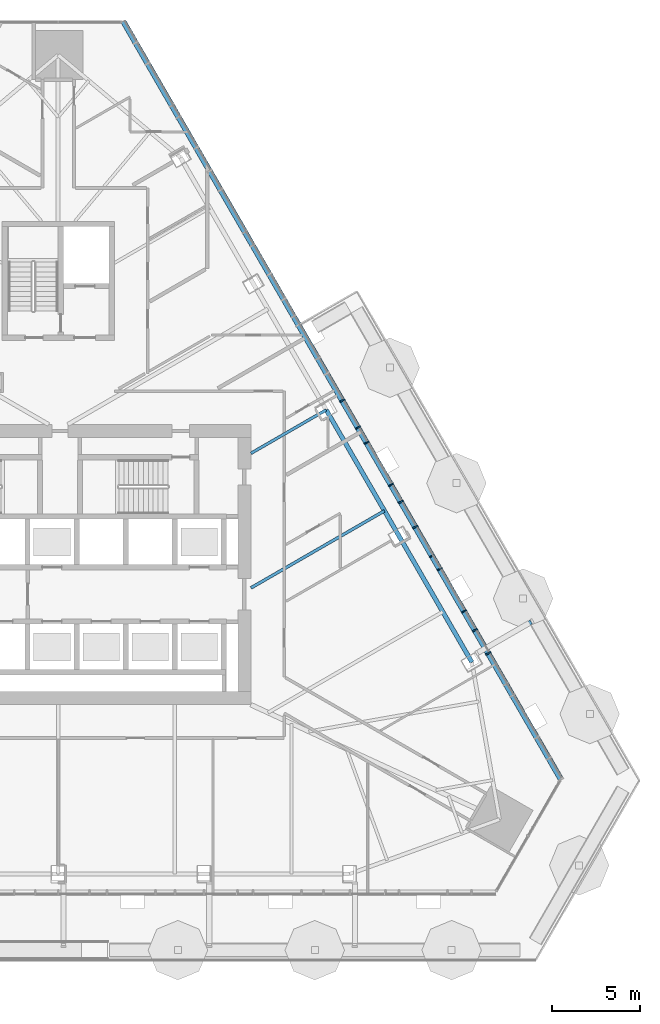
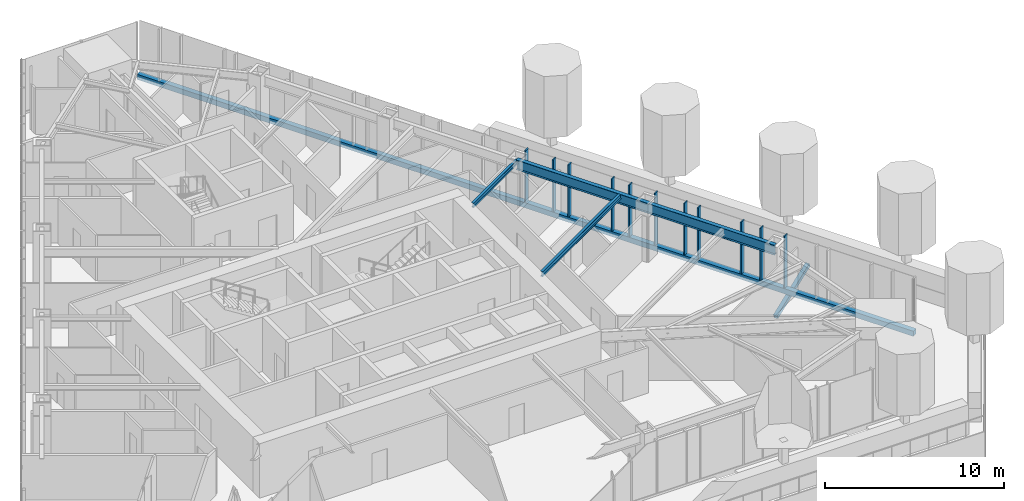
# One storey, part 5 of 18: 13 members, 3 beams, 1 element without a shape of its own.
"""IFC4 building model written with IfcOpenShell, lengths in metres."""

import ifcopenshell
import ifcopenshell.guid

model = None  # the IFC model being written
_history = None  # IfcOwnerHistory: only IFC2X3 demands one
_inside = {}  # id of a spatial element -> (the spatial element, [elements in it])
_under = {}  # id of a project, library or spatial element -> (it, [spatial elements below it])
_declared = {}  # id of a project -> (the project, [libraries it declares])
_typed = {}  # id of a type object -> (the type object, [elements of that type])
_made_of = {}  # id of a material, layer set ... -> (it, [elements and type objects made of it])


def new_model(schema):
    """Start an empty IFC model of exactly this schema.

    Asked for "IFC4X3", IfcOpenShell would pick the latest addendum, in which some entities
    have other attributes; the version numbers below select the first issue.
    IFC2X3 requires an IfcOwnerHistory on every rooted entity: one is made here for all.
    """
    global model, _history
    if schema == "IFC4X3":
        model = ifcopenshell.file(schema_version=(4, 3, 0, 0))
    else:
        model = ifcopenshell.file(schema=schema)
    _inside.clear()
    _under.clear()
    _declared.clear()
    _typed.clear()
    _made_of.clear()
    _history = None
    if model.schema == "IFC2X3":
        org = make("IfcOrganization", Name="unknown")
        user = make(
            "IfcPersonAndOrganization",
            ThePerson=make("IfcPerson", FamilyName="unknown"),
            TheOrganization=org,
        )
        app = make(
            "IfcApplication",
            ApplicationDeveloper=org,
            Version="unknown",
            ApplicationFullName="unknown",
            ApplicationIdentifier="unknown",
        )
        _history = make(
            "IfcOwnerHistory",
            OwningUser=user,
            OwningApplication=app,
            ChangeAction="ADDED",
            CreationDate=0,
        )
    return model


def make(cls, **values):
    """One entity of the class cls with the attributes given. An attribute that is None is left unset."""
    return model.create_entity(
        cls, **{name: value for name, value in values.items() if value is not None}
    )


def rooted(cls, **values):
    """An entity with a GlobalId (a new one), such as an element, a storey or a relation."""
    return make(cls, GlobalId=ifcopenshell.guid.new(), OwnerHistory=_history, **values)


def si_unit(unit_type, name, prefix=None):
    """IfcSIUnit, for example si_unit("LENGTHUNIT", "METRE", prefix="MILLI")."""
    return make("IfcSIUnit", UnitType=unit_type, Prefix=prefix, Name=name)


def assignment(units):
    """IfcUnitAssignment: the units of a project."""
    return None if units is None else make("IfcUnitAssignment", Units=units)


def point(xyz):
    """IfcCartesianPoint."""
    return None if xyz is None else make("IfcCartesianPoint", Coordinates=xyz)


def direction(xyz):
    """IfcDirection."""
    return None if xyz is None else make("IfcDirection", DirectionRatios=xyz)


def frame(location, z_axis=None, x_axis=None):
    """IfcAxis2Placement3D, a coordinate frame: its origin and axes. An axis left out is left unset."""
    return make(
        "IfcAxis2Placement3D",
        Location=point(location),
        Axis=direction(z_axis),
        RefDirection=direction(x_axis),
    )


def frame_2d(location, x_axis=None):
    """IfcAxis2Placement2D, a coordinate frame in the plane: its origin and x axis."""
    return make(
        "IfcAxis2Placement2D", Location=point(location), RefDirection=direction(x_axis)
    )


def origin():
    """The frame at (0, 0, 0) with its axes left unset."""
    return frame((0.0, 0.0, 0.0))


def origin_2d():
    """The frame at (0, 0) in the plane with its x axis left unset."""
    return frame_2d((0.0, 0.0))


def place(relative_to, where):
    """IfcLocalPlacement: puts the frame where relative to a parent placement (None: the world)."""
    return make(
        "IfcLocalPlacement", PlacementRelTo=relative_to, RelativePlacement=where
    )


def context(
    kind, dimensions, precision=None, world=None, true_north=None, identifier=None
):
    """IfcGeometricRepresentationContext, for example the 3D "Model" context."""
    return make(
        "IfcGeometricRepresentationContext",
        ContextIdentifier=identifier,
        ContextType=kind,
        CoordinateSpaceDimension=dimensions,
        Precision=precision,
        WorldCoordinateSystem=world,
        TrueNorth=true_north,
    )


def subcontext(parent, identifier, kind, view, scale=None):
    """IfcGeometricRepresentationSubContext, for example "Body" below "Model"."""
    return make(
        "IfcGeometricRepresentationSubContext",
        ContextIdentifier=identifier,
        ContextType=kind,
        ParentContext=parent,
        TargetScale=scale,
        TargetView=view,
    )


def project(units=None, contexts=None):
    """IfcProject with its units and contexts."""
    return rooted(
        "IfcProject",
        Name="project",
        RepresentationContexts=contexts,
        UnitsInContext=assignment(units),
    )


def spatial(cls, under=None, at=None, **own):
    """A site, building, storey or space (cls), placed at a placement, below another one or the project."""
    s = rooted(cls, ObjectPlacement=at, **own)
    if under is not None:
        _under.setdefault(under.id(), (under, []))[1].append(s)
    return s


def profile(cls, at=None, kind="AREA", **sizes):
    """A parametric profile (cls). Its sizes go by their IFC names, for example OverallWidth=200.0."""
    return make(cls, ProfileType=kind, Position=at, **sizes)


def rectangle(**sizes):
    """IfcRectangleProfileDef."""
    return profile("IfcRectangleProfileDef", **sizes)


def hollow_rectangle(**sizes):
    """IfcRectangleHollowProfileDef."""
    return profile("IfcRectangleHollowProfileDef", **sizes)


def i_section(**sizes):
    """IfcIShapeProfileDef."""
    return profile("IfcIShapeProfileDef", **sizes)


def extrude(swept, where, along, depth):
    """IfcExtrudedAreaSolid: the profile swept, set in the frame where, extruded along a direction by depth."""
    return make(
        "IfcExtrudedAreaSolid",
        SweptArea=swept,
        Position=where,
        ExtrudedDirection=direction(along),
        Depth=depth,
    )


def shape(context_of_items, identifier, shape_type, items):
    """IfcShapeRepresentation: the items that make up one representation, for example the "Body"."""
    return make(
        "IfcShapeRepresentation",
        ContextOfItems=context_of_items,
        RepresentationIdentifier=identifier,
        RepresentationType=shape_type,
        Items=items,
    )


def material(Name=None, Category=None):
    """IfcMaterial."""
    return make("IfcMaterial", Name=Name, Category=Category)


def layer(
    of_material, thickness, ventilated=None, Name=None, Category=None, Priority=None
):
    """IfcMaterialLayer: one layer of a wall or slab, of a material (None: an air gap)."""
    return make(
        "IfcMaterialLayer",
        Material=of_material,
        LayerThickness=thickness,
        IsVentilated=ventilated,
        Name=Name,
        Category=Category,
        Priority=Priority,
    )


def layer_set(layers, Name=None):
    """IfcMaterialLayerSet."""
    return make("IfcMaterialLayerSet", MaterialLayers=layers, LayerSetName=Name)


def material_profile(
    of_material, cross_section, Name=None, Category=None, Priority=None
):
    """IfcMaterialProfile: a cross section and its material."""
    return make(
        "IfcMaterialProfile",
        Name=Name,
        Material=of_material,
        Profile=cross_section,
        Priority=Priority,
        Category=Category,
    )


def profile_set(profiles, Name=None, composite=None):
    """IfcMaterialProfileSet."""
    return make(
        "IfcMaterialProfileSet",
        Name=Name,
        MaterialProfiles=profiles,
        CompositeProfile=composite,
    )


def made_of(thing, what):
    """Note that an element or type object is made of a material, layer set ...; save() writes the relation."""
    if what is not None:
        _made_of.setdefault(what.id(), (what, []))[1].append(thing)
    return thing


def type_object(cls, material=None, **own):
    """A type object (cls), such as IfcWallType, which elements share."""
    return made_of(rooted(cls, **own), material)


def element(
    cls,
    number,
    at=None,
    inside=None,
    cuts=None,
    type_object=None,
    material=None,
    context=None,
    identifier="Body",
    shape_type=None,
    held_by="IfcProductDefinitionShape",
    body=None,
    shapes=None,
    **own,
):
    """One element of the class cls, such as IfcWall. Its Tag is "e" and its number.

    at: its placement. inside: the storey or other place that contains it. cuts: it is an
    opening in that element (IfcRelVoidsElement). A single representation is given by context,
    identifier, shape_type and body (its items); several are given by shapes. held_by: the class
    of the entity that holds the representations. save() writes the other relations.
    """
    e = rooted(cls, Tag="e%d" % number, ObjectPlacement=at, **own)
    if body is not None:
        shapes = [shape(context, identifier, shape_type, body)]
    if shapes is not None:
        e.Representation = make(held_by, Representations=shapes)
    if inside is not None:
        _inside.setdefault(inside.id(), (inside, []))[1].append(e)
    if cuts is not None:
        rooted(
            "IfcRelVoidsElement", RelatingBuildingElement=cuts, RelatedOpeningElement=e
        )
    if type_object is not None:
        _typed.setdefault(type_object.id(), (type_object, []))[1].append(e)
    return made_of(e, material)


def aggregate(whole, parts):
    """IfcRelAggregates: a whole, such as a stair, and the parts it consists of."""
    return rooted("IfcRelAggregates", RelatingObject=whole, RelatedObjects=parts)


def save(model, path):
    """Write the relations noted so far, then the file.

    IfcRelAggregates (storeys below a building ...), IfcRelContainedInSpatialStructure (elements
    in a storey), IfcRelDefinesByType, IfcRelAssociatesMaterial and IfcRelDeclares: one each for
    every whole, place, type object, material and project.
    """
    for whole, parts in _under.values():
        aggregate(whole, parts)
    for where, things in _inside.values():
        rooted(
            "IfcRelContainedInSpatialStructure",
            RelatedElements=things,
            RelatingStructure=where,
        )
    for kind, things in _typed.values():
        rooted("IfcRelDefinesByType", RelatedObjects=things, RelatingType=kind)
    for what, things in _made_of.values():
        rooted("IfcRelAssociatesMaterial", RelatedObjects=things, RelatingMaterial=what)
    for by, libraries in _declared.values():
        rooted("IfcRelDeclares", RelatingContext=by, RelatedDefinitions=libraries)
    model.write(path)


model = new_model("IFC4")

# Units and contexts
model_context = context("Model", 3, precision=1e-05, world=origin(), true_north=direction((0.0, 1.0)))
body_context = subcontext(model_context, "Body", "Model", "MODEL_VIEW")
ifc_project = project(units=[si_unit("LENGTHUNIT", "METRE"), si_unit("AREAUNIT", "SQUARE_METRE"), si_unit("VOLUMEUNIT", "CUBIC_METRE"), si_unit("PLANEANGLEUNIT", "RADIAN"), si_unit("MASSUNIT", "GRAM", prefix="KILO")], contexts=[model_context])

# Site, building, storey
site_placement = place(None, origin())
site = spatial("IfcSite", under=ifc_project, at=site_placement, CompositionType="ELEMENT")
building_placement = place(site_placement, origin())
building = spatial("IfcBuilding", under=site, at=building_placement, Name="Firuza Gate Tower and Library", CompositionType="ELEMENT")
storey_placement = place(building_placement, frame((0.0, 0.0, 226.0)))
storey = spatial("IfcBuildingStorey", under=building, at=storey_placement, Name="L53", CompositionType="ELEMENT", Elevation=226.0)

# Curtain wall, members
ifc_material_1 = material(Name="Aluminium 6063-T6", Category="aluminium")
ifc_layer = layer(ifc_material_1, 0.14990234375)
ifc_layer_set = layer_set([ifc_layer], Name="Unitised curtain wall, hotel")
curtain_wall_type = type_object("IfcCurtainWallType", Name="Unitised curtain wall, hotel", PredefinedType="NOTDEFINED", material=ifc_layer_set)
curtain_wall_placement = place(storey_placement, origin())
curtain_wall = element("IfcCurtainWall", 1, at=curtain_wall_placement, inside=storey, type_object=curtain_wall_type, Name="CW2 L53 E face", PredefinedType="NOTDEFINED")
ifc_material_2 = material(Name="Aluminium 6063-T6", Category="aluminium")
ifc_material_profile_1 = material_profile(ifc_material_2, rectangle(XDim=0.320068359375, YDim=0.080078125, at=origin_2d()))
ifc_profile_set_1 = profile_set([ifc_material_profile_1], Name="Aluminium 6063-T6")
member_type_1 = type_object("IfcMemberType", Name="Curtain wall mullion 80x320", PredefinedType="MULLION", material=ifc_profile_set_1)
member_1_placement = place(storey_placement, frame((99.546875, 69.93017578125, 0.14990234375), z_axis=(0.0, 0.0, 1.0), x_axis=(-0.866025403784, -0.5, 0.0)))
member_1 = element("IfcMember", 2, at=member_1_placement, type_object=member_type_1, Name="Mullion", PredefinedType="MULLION", context=body_context, shape_type="SweptSolid", body=[
    extrude(rectangle(XDim=0.320068359375, YDim=0.080078125, at=origin_2d()), origin(), (0.0, 0.0, 1.0), 3.550048828125),
])
member_2_placement = place(storey_placement, frame((98.158203125, 72.33544921875, 0.14990234375), z_axis=(0.0, 0.0, 1.0), x_axis=(-0.866025403784, -0.5, 0.0)))
member_2 = element("IfcMember", 3, at=member_2_placement, type_object=member_type_1, Name="Mullion", PredefinedType="MULLION", context=body_context, shape_type="SweptSolid", body=[
    extrude(rectangle(XDim=0.320068359375, YDim=0.080078125, at=origin_2d()), origin(), (0.0, 0.0, 1.0), 3.550048828125),
])
member_3_placement = place(storey_placement, frame((96.76953125, 74.74072265625, 0.14990234375), z_axis=(0.0, 0.0, 1.0), x_axis=(-0.866025403784, -0.5, 0.0)))
member_3 = element("IfcMember", 4, at=member_3_placement, type_object=member_type_1, Name="Mullion", PredefinedType="MULLION", context=body_context, shape_type="SweptSolid", body=[
    extrude(rectangle(XDim=0.320068359375, YDim=0.080078125, at=origin_2d()), origin(), (0.0, 0.0, 1.0), 3.550048828125),
])
member_4_placement = place(storey_placement, frame((95.380859375, 77.14599609375, 0.14990234375), z_axis=(0.0, 0.0, 1.0), x_axis=(-0.866025403784, -0.5, 0.0)))
member_4 = element("IfcMember", 5, at=member_4_placement, type_object=member_type_1, Name="Mullion", PredefinedType="MULLION", context=body_context, shape_type="SweptSolid", body=[
    extrude(rectangle(XDim=0.320068359375, YDim=0.080078125, at=origin_2d()), origin(), (0.0, 0.0, 1.0), 3.550048828125),
])
member_5_placement = place(storey_placement, frame((93.9921875, 79.55126953125, 0.14990234375), z_axis=(0.0, 0.0, 1.0), x_axis=(-0.866025403784, -0.5, 0.0)))
member_5 = element("IfcMember", 6, at=member_5_placement, type_object=member_type_1, Name="Mullion", PredefinedType="MULLION", context=body_context, shape_type="SweptSolid", body=[
    extrude(rectangle(XDim=0.320068359375, YDim=0.080078125, at=origin_2d()), origin(), (0.0, 0.0, 1.0), 3.550048828125),
])
member_6_placement = place(storey_placement, frame((92.603515625, 81.95654296875, 0.14990234375), z_axis=(0.0, 0.0, 1.0), x_axis=(-0.866025403784, -0.5, 0.0)))
member_6 = element("IfcMember", 7, at=member_6_placement, type_object=member_type_1, Name="Mullion", PredefinedType="MULLION", context=body_context, shape_type="SweptSolid", body=[
    extrude(rectangle(XDim=0.320068359375, YDim=0.080078125, at=origin_2d()), origin(), (0.0, 0.0, 1.0), 3.550048828125),
])
member_7_placement = place(storey_placement, frame((91.21484375, 84.36181640625, 0.14990234375), z_axis=(0.0, 0.0, 1.0), x_axis=(-0.866025403784, -0.5, 0.0)))
member_7 = element("IfcMember", 8, at=member_7_placement, type_object=member_type_1, Name="Mullion", PredefinedType="MULLION", context=body_context, shape_type="SweptSolid", body=[
    extrude(rectangle(XDim=0.320068359375, YDim=0.080078125, at=origin_2d()), origin(), (0.0, 0.0, 1.0), 3.550048828125),
])
member_8_placement = place(storey_placement, frame((98.781005859375, 71.2568359375, 0.14990234375), z_axis=(0.0, 0.0, 1.0), x_axis=(-0.866025403784, -0.5, 0.0)))
member_8 = element("IfcMember", 9, at=member_8_placement, type_object=member_type_1, Name="Mullion", PredefinedType="MULLION", context=body_context, shape_type="SweptSolid", body=[
    extrude(rectangle(XDim=0.320068359375, YDim=0.080078125, at=origin_2d()), origin(), (0.0, 0.0, 1.0), 3.550048828125),
])
member_9_placement = place(storey_placement, frame((96.332275390625, 75.498046875, 0.14990234375), z_axis=(0.0, 0.0, 1.0), x_axis=(-0.866025403784, -0.5, 0.0)))
member_9 = element("IfcMember", 10, at=member_9_placement, type_object=member_type_1, Name="Mullion", PredefinedType="MULLION", context=body_context, shape_type="SweptSolid", body=[
    extrude(rectangle(XDim=0.320068359375, YDim=0.080078125, at=origin_2d()), origin(), (0.0, 0.0, 1.0), 3.550048828125),
])
member_10_placement = place(storey_placement, frame((94.55322265625, 78.579833984375, 0.14990234375), z_axis=(0.0, 0.0, 1.0), x_axis=(-0.866025403784, -0.5, 0.0)))
member_10 = element("IfcMember", 11, at=member_10_placement, type_object=member_type_1, Name="Mullion", PredefinedType="MULLION", context=body_context, shape_type="SweptSolid", body=[
    extrude(rectangle(XDim=0.320068359375, YDim=0.080078125, at=origin_2d()), origin(), (0.0, 0.0, 1.0), 3.550048828125),
])
member_11_placement = place(storey_placement, frame((92.1044921875, 82.82080078125, 0.14990234375), z_axis=(0.0, 0.0, 1.0), x_axis=(-0.866025403784, -0.5, 0.0)))
member_11 = element("IfcMember", 12, at=member_11_placement, type_object=member_type_1, Name="Mullion", PredefinedType="MULLION", context=body_context, shape_type="SweptSolid", body=[
    extrude(rectangle(XDim=0.320068359375, YDim=0.080078125, at=origin_2d()), origin(), (0.0, 0.0, 1.0), 3.550048828125),
])
ifc_material_3 = material(Name="Aluminium 6063-T6", Category="aluminium")
ifc_material_profile_2 = material_profile(ifc_material_3, rectangle(XDim=0.320068359375, YDim=0.35009765625, at=origin_2d()))
ifc_profile_set_2 = profile_set([ifc_material_profile_2], Name="Aluminium 6063-T6")
member_type_2 = type_object("IfcMemberType", Name="Curtain wall transom 350x320", PredefinedType="USERDEFINED", material=ifc_profile_set_2)
member_12_placement = place(storey_placement, frame((103.712890625, 62.71435546875, -0.02490234375), z_axis=(-0.499998498353, 0.866026270759, 0.0), x_axis=(-0.866026270759, -0.499998498353, 0.0)))
member_12 = element("IfcMember", 13, at=member_12_placement, type_object=member_type_2, Name="Transom", ObjectType="TRANSOM", PredefinedType="USERDEFINED", context=body_context, shape_type="SweptSolid", body=[
    extrude(rectangle(XDim=0.320068359375, YDim=0.35009765625, at=origin_2d()), origin(), (0.0, 0.0, 1.0), 49.992431640625),
])
aggregate(curtain_wall, [member_1, member_2, member_3, member_4, member_5, member_6, member_7, member_12, member_8, member_9, member_10, member_11])

# Member
ifc_material_4 = material(Name="Steel S355", Category="steel")
ifc_material_profile_3 = material_profile(ifc_material_4, hollow_rectangle(XDim=0.25390625, YDim=0.25390625, WallThickness=0.01171875, at=origin_2d()))
ifc_profile_set_3 = profile_set([ifc_material_profile_3], Name="Steel S355")
member_type_3 = type_object("IfcMemberType", Name="HSS254x254x13 Tray strut", PredefinedType="BRACE", material=ifc_profile_set_3)
member_13_placement = place(storey_placement, frame((98.927978515625, 69.95263671875, -1.669921875), z_axis=(0.807164722971, 0.465968546417, 0.362434026744), x_axis=(-0.499961193289, 0.866047807691, 0.0)))
element("IfcMember", 14, at=member_13_placement, inside=storey, type_object=member_type_3, Name="Tray strut L53 col:L52:E1", PredefinedType="BRACE", context=body_context, shape_type="SweptSolid", body=[
    extrude(hollow_rectangle(XDim=0.25390625, YDim=0.25390625, WallThickness=0.01171875, at=origin_2d()), origin(), (0.0, 0.0, 1.0), 3.862548828125),
])

# Beams
ifc_material_5 = material(Name="Steel S355", Category="steel")
ifc_material_profile_4 = material_profile(ifc_material_5, i_section(OverallWidth=0.1650390625, OverallDepth=0.31005859375, WebThickness=0.005859375, FlangeThickness=0.009765625, at=origin_2d()))
ifc_profile_set_4 = profile_set([ifc_material_profile_4], Name="Steel S355")
beam_type_1 = type_object("IfcBeamType", Name="W310x39 Floor beam", PredefinedType="JOIST", material=ifc_profile_set_4)
beam_1_placement = place(storey_placement, frame((90.296875, 83.831787109375, 3.544921875), z_axis=(-0.866011868261, -0.500023443481, 0.0), x_axis=(0.500023443481, -0.866011868261, 0.0)))
element("IfcBeam", 15, at=beam_1_placement, inside=storey, type_object=beam_type_1, Name="Floor beam L53 s52", PredefinedType="JOIST", context=body_context, shape_type="SweptSolid", body=[
    extrude(i_section(OverallWidth=0.1650390625, OverallDepth=0.31005859375, WebThickness=0.005859375, FlangeThickness=0.009765625, at=origin_2d()), origin(), (0.0, 0.0, 1.0), 4.961669921875),
])
ifc_material_6 = material(Name="Steel S355", Category="steel")
ifc_material_profile_5 = material_profile(ifc_material_6, i_section(OverallWidth=0.1708984375, OverallDepth=0.35498046875, WebThickness=0.007080078125, FlangeThickness=0.01171875, at=origin_2d()))
ifc_profile_set_5 = profile_set([ifc_material_profile_5], Name="Steel S355")
beam_type_2 = type_object("IfcBeamType", Name="W360x51 Floor beam", PredefinedType="JOIST", material=ifc_profile_set_5)
beam_2_placement = place(storey_placement, frame((93.6240234375, 78.069091796875, 3.5224609375), z_axis=(-0.866031338417, -0.499989720774, 0.0), x_axis=(0.499989720774, -0.866031338417, 0.0)))
element("IfcBeam", 16, at=beam_2_placement, inside=storey, type_object=beam_type_2, Name="Floor beam L53 s51", PredefinedType="JOIST", context=body_context, shape_type="SweptSolid", body=[
    extrude(i_section(OverallWidth=0.1708984375, OverallDepth=0.35498046875, WebThickness=0.007080078125, FlangeThickness=0.01171875, at=origin_2d()), origin(), (0.0, 0.0, 1.0), 8.803466796875),
])
ifc_material_7 = material(Name="Steel S355", Category="steel")
ifc_material_profile_6 = material_profile(ifc_material_7, i_section(OverallWidth=0.2529296875, OverallDepth=0.677978515625, WebThickness=0.01171875, FlangeThickness=0.016357421875, at=origin_2d()))
ifc_profile_set_6 = profile_set([ifc_material_profile_6], Name="Steel S355")
beam_type_3 = type_object("IfcBeamType", Name="W690x125 Edge beam", PredefinedType="SPANDREL", material=ifc_profile_set_6)
beam_3_placement = place(storey_placement, frame((98.614501953125, 69.42529296875, 3.361083984375), z_axis=(-0.500001518599, 0.866024527019, 0.0), x_axis=(-0.866024527019, -0.500001518599, 0.0)))
element("IfcBeam", 17, at=beam_3_placement, inside=storey, type_object=beam_type_3, Name="Edge beam L53 e50", PredefinedType="SPANDREL", context=body_context, shape_type="SweptSolid", body=[
    extrude(i_section(OverallWidth=0.2529296875, OverallDepth=0.677978515625, WebThickness=0.01171875, FlangeThickness=0.016357421875, at=origin_2d()), origin(), (0.0, 0.0, 1.0), 16.63525390625),
])

save(model, "model.ifc")
